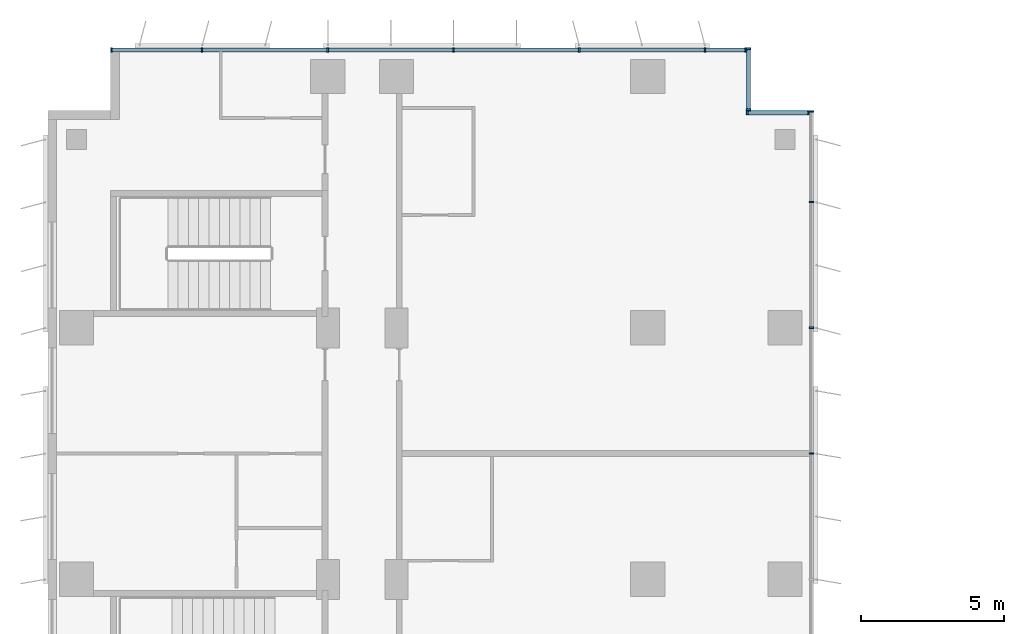
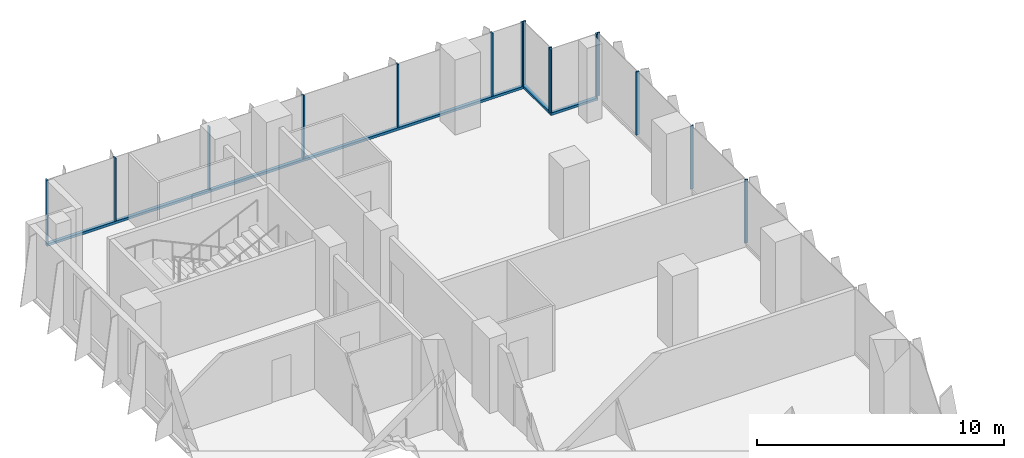
# One storey, part 9 of 22: 18 members, 4 elements without a shape of their own.
"""IFC4 building model written with IfcOpenShell, lengths in metres."""

from ifc_helpers import new_model, si_unit, direction, frame, origin, origin_2d, place, context, subcontext, project, spatial, rectangle, extrude, source, transform, mapped, material, material_profile, profile_set, type_object, element, aggregate, save


model = new_model("IFC4")

# Units and contexts
model_context = context("Model", 3, precision=1e-05, world=origin(), true_north=direction((0.0, 1.0)))
body_context = subcontext(model_context, "Body", "Model", "MODEL_VIEW")
ifc_project = project(units=[si_unit("LENGTHUNIT", "METRE"), si_unit("AREAUNIT", "SQUARE_METRE"), si_unit("VOLUMEUNIT", "CUBIC_METRE"), si_unit("PLANEANGLEUNIT", "RADIAN"), si_unit("MASSUNIT", "GRAM", prefix="KILO")], contexts=[model_context])

# Site, building, storey
site_placement = place(None, origin())
site = spatial("IfcSite", under=ifc_project, at=site_placement, CompositionType="ELEMENT")
building_placement = place(site_placement, origin())
building = spatial("IfcBuilding", under=site, at=building_placement, Name="Kemantara Hotel Tower", CompositionType="ELEMENT")
storey_placement = place(building_placement, frame((0.0, 0.0, 149.39990234375)))
storey = spatial("IfcBuildingStorey", under=building, at=storey_placement, Name="L36", CompositionType="ELEMENT", Elevation=149.39990234375)

# Curtain wall, member
ifc_material_1 = material(Name="Low-E tinted double insulated glass 36 mm", Category="glass")
curtain_wall_type = type_object("IfcCurtainWallType", Name="TOWER CURTAIN WALL, FRONT FACES", PredefinedType="USERDEFINED", material=ifc_material_1)
curtain_wall_1_placement = place(storey_placement, origin())
curtain_wall_1 = element("IfcCurtainWall", 1, at=curtain_wall_1_placement, inside=storey, type_object=curtain_wall_type, Name="CW4 L36 T2-R01-1", ObjectType="TOWER CURTAIN WALL, FRONT FACES", PredefinedType="USERDEFINED")
ifc_material_2 = material(Name="Aluminium 6063-T6 bronze anodised", Category="aluminium")
ifc_material_profile_1 = material_profile(ifc_material_2, rectangle(XDim=0.14990234375, YDim=0.1201171875, at=origin_2d()), Name="TOWER CURTAIN WALL, FRONT FACES TRANSOM")
ifc_profile_set_1 = profile_set([ifc_material_profile_1], Name="Aluminium 6063-T6 bronze anodised")
member_type_1 = type_object("IfcMemberType", Name="TOWER CURTAIN WALL, FRONT FACES TRANSOM", PredefinedType="USERDEFINED", material=ifc_profile_set_1)
member_1_placement = place(storey_placement, frame((24.449951171875, 81.125, 0.06005859375), z_axis=(-1.0, 0.0, 0.0), x_axis=(0.0, -1.0, 0.0)))
member_1 = element("IfcMember", 2, at=member_1_placement, type_object=member_type_1, Name="CW4 sill transom T2-R01-1", ObjectType="TRANSOM", PredefinedType="USERDEFINED", context=body_context, shape_type="SweptSolid", body=[
    extrude(rectangle(XDim=0.14990234375, YDim=0.1201171875, at=origin_2d()), origin(), (0.0, 0.0, 1.0), 22.25),
])

curtain_wall_2_placement = place(storey_placement, origin())
curtain_wall_2 = element("IfcCurtainWall", 3, at=curtain_wall_2_placement, inside=storey, type_object=curtain_wall_type, Name="CW4 L36 T2-R00-1", ObjectType="TOWER CURTAIN WALL, FRONT FACES", PredefinedType="USERDEFINED")
member_2_placement = place(storey_placement, frame((24.52490234375, 79.0, 0.06005859375), z_axis=(0.0, 1.0, 0.0), x_axis=(-1.0, 0.0, 0.0)))
member_2 = element("IfcMember", 4, at=member_2_placement, type_object=member_type_1, Name="CW4 sill transom T2-R00-1", ObjectType="TRANSOM", PredefinedType="USERDEFINED", context=body_context, shape_type="SweptSolid", body=[
    extrude(rectangle(XDim=0.14990234375, YDim=0.1201171875, at=origin_2d()), origin(), (0.0, 0.0, 1.0), 2.199951171875),
])

curtain_wall_3_placement = place(storey_placement, origin())
curtain_wall_3 = element("IfcCurtainWall", 5, at=curtain_wall_3_placement, inside=storey, type_object=curtain_wall_type, Name="CW4 L36 T2-R15-1", ObjectType="TOWER CURTAIN WALL, FRONT FACES", PredefinedType="USERDEFINED")
member_3_placement = place(storey_placement, frame((26.64990234375, 78.925048828125, 0.06005859375), z_axis=(-1.0, 0.0, 0.0), x_axis=(0.0, -1.0, 0.0)))
member_3 = element("IfcMember", 6, at=member_3_placement, type_object=member_type_1, Name="CW4 sill transom T2-R15-1", ObjectType="TRANSOM", PredefinedType="USERDEFINED", context=body_context, shape_type="SweptSolid", body=[
    extrude(rectangle(XDim=0.14990234375, YDim=0.1201171875, at=origin_2d()), origin(), (0.0, 0.0, 1.0), 2.199951171875),
])

# Member
ifc_material_profile_2 = material_profile(ifc_material_2, rectangle(XDim=0.14990234375, YDim=0.06005859375, at=origin_2d()), Name="TOWER CURTAIN WALL, FRONT FACES MULLION")
ifc_profile_set_2 = profile_set([ifc_material_profile_2], Name="Aluminium 6063-T6 bronze anodised")
member_type_2 = type_object("IfcMemberType", Name="TOWER CURTAIN WALL, FRONT FACES MULLION", PredefinedType="MULLION", material=ifc_profile_set_2)
shared_shape = source(origin(), body_context, "Body", "SweptSolid", [
    extrude(rectangle(XDim=0.14990234375, YDim=0.06005859375, at=origin_2d()), origin(), (0.0, 0.0, 1.0), 3.1298828125),
])
member_4_placement = place(storey_placement, frame((24.419921875, 81.125, 0.1201171875), z_axis=(0.0, 0.0, 1.0), x_axis=(0.0, -1.0, 0.0)))
member_4 = element("IfcMember", 7, at=member_4_placement, type_object=member_type_2, Name="CW4 mullion T2-R01-1.1", PredefinedType="MULLION", context=body_context, shape_type="MappedRepresentation", body=[
    mapped(shared_shape, transform((0.0, 0.0, 0.0))),
])

member_5_placement = place(storey_placement, frame((23.0, 81.125, 0.1201171875), z_axis=(0.0, 0.0, 1.0), x_axis=(0.0, -1.0, 0.0)))
member_5 = element("IfcMember", 8, at=member_5_placement, type_object=member_type_2, Name="CW4 mullion T2-R01-1.2", PredefinedType="MULLION", context=body_context, shape_type="MappedRepresentation", body=[
    mapped(shared_shape, transform((0.0, 0.0, 0.0))),
])

member_6_placement = place(storey_placement, frame((18.60009765625, 81.125, 0.1201171875), z_axis=(0.0, 0.0, 1.0), x_axis=(0.0, -1.0, 0.0)))
member_6 = element("IfcMember", 9, at=member_6_placement, type_object=member_type_2, Name="CW4 mullion T2-R01-1.3", PredefinedType="MULLION", context=body_context, shape_type="MappedRepresentation", body=[
    mapped(shared_shape, transform((0.0, 0.0, 0.0))),
])

member_7_placement = place(storey_placement, frame((14.199951171875, 81.125, 0.1201171875), z_axis=(0.0, 0.0, 1.0), x_axis=(0.0, -1.0, 0.0)))
member_7 = element("IfcMember", 10, at=member_7_placement, type_object=member_type_2, Name="CW4 mullion T2-R01-1.4", PredefinedType="MULLION", context=body_context, shape_type="MappedRepresentation", body=[
    mapped(shared_shape, transform((0.0, 0.0, 0.0))),
])

member_8_placement = place(storey_placement, frame((9.800048828125, 81.125, 0.1201171875), z_axis=(0.0, 0.0, 1.0), x_axis=(0.0, -1.0, 0.0)))
member_8 = element("IfcMember", 11, at=member_8_placement, type_object=member_type_2, Name="CW4 mullion T2-R01-1.5", PredefinedType="MULLION", context=body_context, shape_type="MappedRepresentation", body=[
    mapped(shared_shape, transform((0.0, 0.0, 0.0))),
])

member_9_placement = place(storey_placement, frame((5.39990234375, 81.125, 0.1201171875), z_axis=(0.0, 0.0, 1.0), x_axis=(0.0, -1.0, 0.0)))
member_9 = element("IfcMember", 12, at=member_9_placement, type_object=member_type_2, Name="CW4 mullion T2-R01-1.6", PredefinedType="MULLION", context=body_context, shape_type="MappedRepresentation", body=[
    mapped(shared_shape, transform((0.0, 0.0, 0.0))),
])

member_10_placement = place(storey_placement, frame((2.22998046875, 81.125, 0.1201171875), z_axis=(0.0, 0.0, 1.0), x_axis=(0.0, -1.0, 0.0)))
member_10 = element("IfcMember", 13, at=member_10_placement, type_object=member_type_2, Name="CW4 mullion T2-R01-1.7", PredefinedType="MULLION", context=body_context, shape_type="MappedRepresentation", body=[
    mapped(shared_shape, transform((0.0, 0.0, 0.0))),
])

aggregate(curtain_wall_1, [member_1, member_4, member_5, member_6, member_7, member_8, member_9, member_10])

# Curtain wall, members
curtain_wall_4_placement = place(storey_placement, origin())
curtain_wall_4 = element("IfcCurtainWall", 14, at=curtain_wall_4_placement, inside=storey, type_object=curtain_wall_type, Name="CW4 L36 T2-R14-1", ObjectType="TOWER CURTAIN WALL, FRONT FACES", PredefinedType="USERDEFINED")
member_11_placement = place(storey_placement, frame((26.72509765625, 67.0, 0.1201171875), z_axis=(0.0, 0.0, 1.0), x_axis=(-1.0, 0.0, 0.0)))
member_11 = element("IfcMember", 15, at=member_11_placement, type_object=member_type_2, Name="CW4 mullion T2-R14-1.12", PredefinedType="MULLION", context=body_context, shape_type="MappedRepresentation", body=[
    mapped(shared_shape, transform((0.0, 0.0, 0.0))),
])
member_12_placement = place(storey_placement, frame((26.72509765625, 71.39990234375, 0.1201171875), z_axis=(0.0, 0.0, 1.0), x_axis=(-1.0, 0.0, 0.0)))
member_12 = element("IfcMember", 16, at=member_12_placement, type_object=member_type_2, Name="CW4 mullion T2-R14-1.13", PredefinedType="MULLION", context=body_context, shape_type="MappedRepresentation", body=[
    mapped(shared_shape, transform((0.0, 0.0, 0.0))),
])
member_13_placement = place(storey_placement, frame((26.72509765625, 75.800048828125, 0.1201171875), z_axis=(0.0, 0.0, 1.0), x_axis=(-1.0, 0.0, 0.0)))
member_13 = element("IfcMember", 17, at=member_13_placement, type_object=member_type_2, Name="CW4 mullion T2-R14-1.14", PredefinedType="MULLION", context=body_context, shape_type="MappedRepresentation", body=[
    mapped(shared_shape, transform((0.0, 0.0, 0.0))),
])
member_14_placement = place(storey_placement, frame((26.72509765625, 78.969970703125, 0.1201171875), z_axis=(0.0, 0.0, 1.0), x_axis=(-1.0, 0.0, 0.0)))
member_14 = element("IfcMember", 18, at=member_14_placement, type_object=member_type_2, Name="CW4 mullion T2-R14-1.15", PredefinedType="MULLION", context=body_context, shape_type="MappedRepresentation", body=[
    mapped(shared_shape, transform((0.0, 0.0, 0.0))),
])
aggregate(curtain_wall_4, [member_11, member_12, member_13, member_14])

# Member
member_15_placement = place(storey_placement, frame((24.52490234375, 79.030029296875, 0.1201171875), z_axis=(0.0, 0.0, 1.0), x_axis=(-1.0, 0.0, 0.0)))
member_15 = element("IfcMember", 19, at=member_15_placement, type_object=member_type_2, Name="CW4 mullion T2-R00-1.1", PredefinedType="MULLION", context=body_context, shape_type="MappedRepresentation", body=[
    mapped(shared_shape, transform((0.0, 0.0, 0.0))),
])

member_16_placement = place(storey_placement, frame((24.52490234375, 81.169921875, 0.1201171875), z_axis=(0.0, 0.0, 1.0), x_axis=(-1.0, 0.0, 0.0)))
member_16 = element("IfcMember", 20, at=member_16_placement, type_object=member_type_2, Name="CW4 mullion T2-R00-1.2", PredefinedType="MULLION", context=body_context, shape_type="MappedRepresentation", body=[
    mapped(shared_shape, transform((0.0, 0.0, 0.0))),
])

aggregate(curtain_wall_2, [member_2, member_15, member_16])

member_17_placement = place(storey_placement, frame((26.6201171875, 78.925048828125, 0.1201171875), z_axis=(0.0, 0.0, 1.0), x_axis=(0.0, -1.0, 0.0)))
member_17 = element("IfcMember", 21, at=member_17_placement, type_object=member_type_2, Name="CW4 mullion T2-R15-1.1", PredefinedType="MULLION", context=body_context, shape_type="MappedRepresentation", body=[
    mapped(shared_shape, transform((0.0, 0.0, 0.0))),
])

member_18_placement = place(storey_placement, frame((24.47998046875, 78.925048828125, 0.1201171875), z_axis=(0.0, 0.0, 1.0), x_axis=(0.0, -1.0, 0.0)))
member_18 = element("IfcMember", 22, at=member_18_placement, type_object=member_type_2, Name="CW4 mullion T2-R15-1.2", PredefinedType="MULLION", context=body_context, shape_type="MappedRepresentation", body=[
    mapped(shared_shape, transform((0.0, 0.0, 0.0))),
])

aggregate(curtain_wall_3, [member_3, member_17, member_18])

save(model, "model.ifc")
